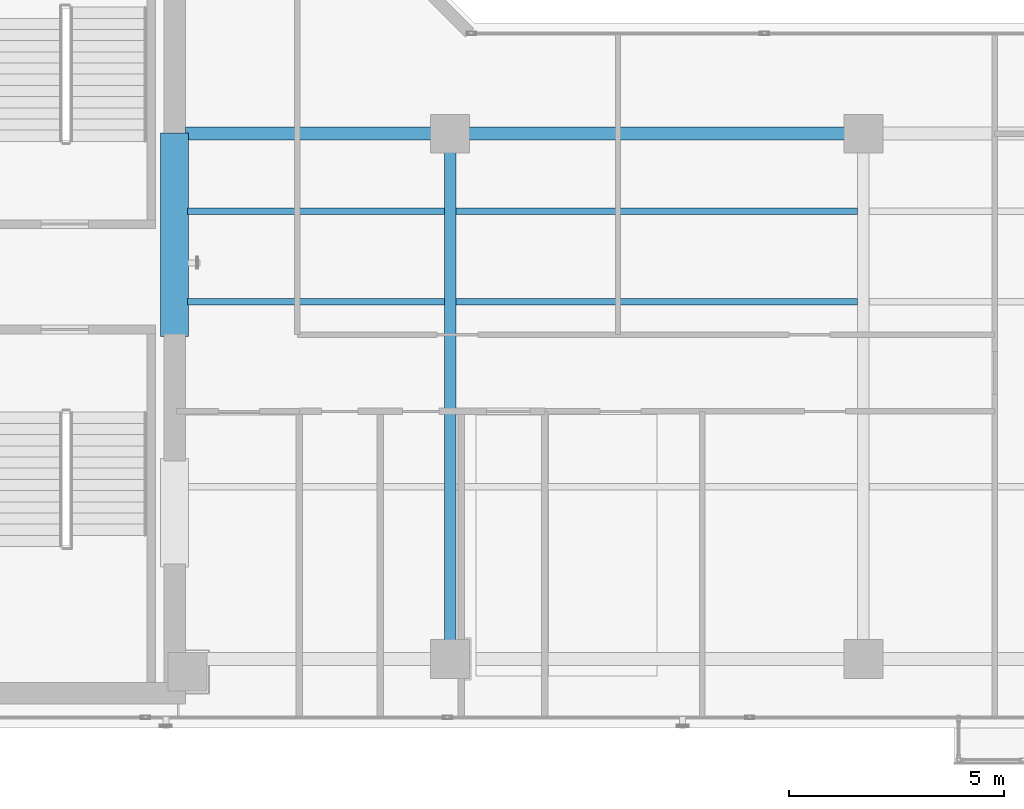
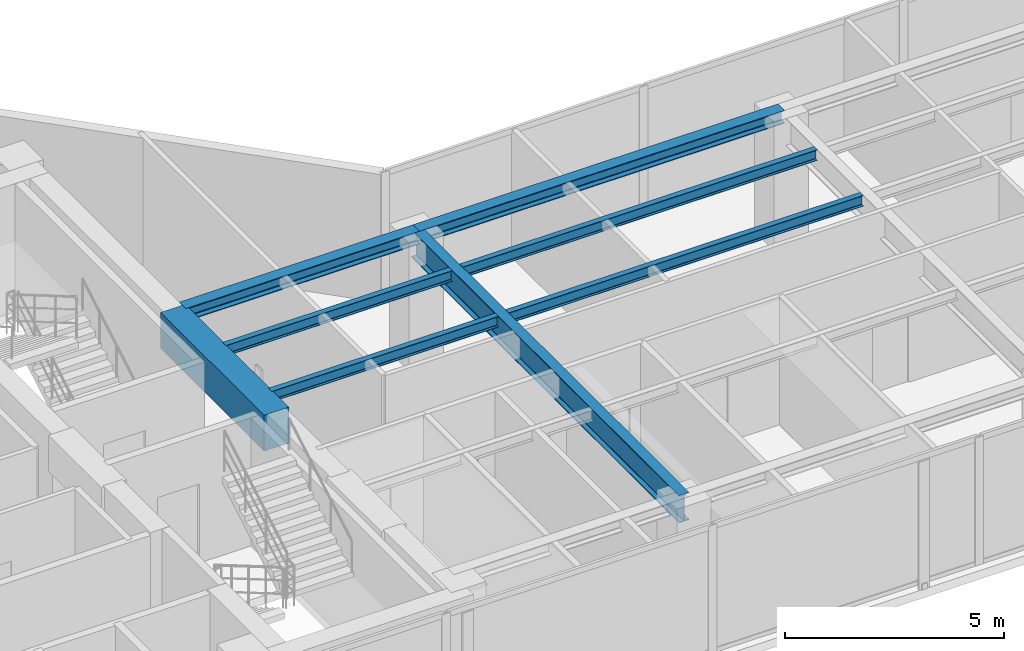
# One storey, part 5 of 22: 8 beams.
"""IFC4 building model written with IfcOpenShell, lengths in metres."""

from ifc_helpers import new_model, si_unit, direction, frame, origin, origin_2d, place, context, subcontext, project, spatial, rectangle, i_section, extrude, material, material_profile, profile_set, type_object, element, save


model = new_model("IFC4")

# Units and contexts
model_context = context("Model", 3, precision=1e-05, world=origin(), true_north=direction((0.0, 1.0)))
body_context = subcontext(model_context, "Body", "Model", "MODEL_VIEW")
ifc_project = project(units=[si_unit("LENGTHUNIT", "METRE"), si_unit("AREAUNIT", "SQUARE_METRE"), si_unit("VOLUMEUNIT", "CUBIC_METRE"), si_unit("PLANEANGLEUNIT", "RADIAN"), si_unit("MASSUNIT", "GRAM", prefix="KILO")], contexts=[model_context])

# Site, building, storey
site_placement = place(None, origin())
site = spatial("IfcSite", under=ifc_project, at=site_placement, CompositionType="ELEMENT")
building_placement = place(site_placement, origin())
building = spatial("IfcBuilding", under=site, at=building_placement, Name="Kolvaren Waterfront Exchange", CompositionType="ELEMENT")
storey_placement = place(building_placement, frame((0.0, 0.0, 274.199951171875)))
storey = spatial("IfcBuildingStorey", under=building, at=storey_placement, Name="L70", CompositionType="ELEMENT", Elevation=274.199951171875)

# Beams
ifc_material_1 = material(Name="Steel S355", Category="steel")
ifc_material_profile_1 = material_profile(ifc_material_1, i_section(OverallWidth=0.300048828125, OverallDepth=0.360107421875, WebThickness=0.012451171875, FlangeThickness=0.0224609375, FilletRadius=0.027099609375, at=origin_2d()), Name="HEB360")
ifc_profile_set_1 = profile_set([ifc_material_profile_1], Name="Steel S355")
beam_type_1 = type_object("IfcBeamType", Name="STR-BM-HEB360", PredefinedType="SPANDREL", material=ifc_profile_set_1)
beam_1_placement = place(storey_placement, frame((21.050048828125, 17.39990234375, 3.380126953125), z_axis=(1.0, 0.0, 0.0), x_axis=(0.0, 1.0, 0.0)))
element("IfcBeam", 1, at=beam_1_placement, inside=storey, type_object=beam_type_1, Name="L70 east-arm spandrel N1", PredefinedType="SPANDREL", context=body_context, shape_type="SweptSolid", body=[
    extrude(i_section(OverallWidth=0.300048828125, OverallDepth=0.360107421875, WebThickness=0.012451171875, FlangeThickness=0.0224609375, FilletRadius=0.027099609375, at=origin_2d()), origin(), (0.0, 0.0, 1.0), 6.14990234375),
])
beam_2_placement = place(storey_placement, frame((27.199951171875, 17.39990234375, 3.380126953125), z_axis=(1.0, 0.0, 0.0), x_axis=(0.0, 1.0, 0.0)))
element("IfcBeam", 2, at=beam_2_placement, inside=storey, type_object=beam_type_1, Name="L70 east-arm spandrel N2", PredefinedType="SPANDREL", context=body_context, shape_type="SweptSolid", body=[
    extrude(i_section(OverallWidth=0.300048828125, OverallDepth=0.360107421875, WebThickness=0.012451171875, FlangeThickness=0.0224609375, FilletRadius=0.027099609375, at=origin_2d()), origin(), (0.0, 0.0, 1.0), 9.60009765625),
])
ifc_material_profile_2 = material_profile(ifc_material_1, i_section(OverallWidth=0.14990234375, OverallDepth=0.300048828125, WebThickness=0.007080078125, FlangeThickness=0.0107421875, FilletRadius=0.014892578125, at=origin_2d()), Name="IPE300")
ifc_profile_set_2 = profile_set([ifc_material_profile_2], Name="Steel S355")
beam_type_2 = type_object("IfcBeamType", Name="STR-BM-IPE300", PredefinedType="JOIST", material=ifc_profile_set_2)
for number, where, z_axis, x_axis, name in (
    (3, (21.10009765625, 13.5, 3.41015625), (1.0, 0.0, 0.0), (0.0, 1.0, 0.0), "L70 east-arm composite joist 1A"),
    (4, (21.10009765625, 15.60009765625, 3.41015625), (1.0, 0.0, 0.0), (0.0, 1.0, 0.0), "L70 east-arm composite joist 1C"),
):
    element("IfcBeam", number, at=place(storey_placement, frame(where, z_axis=z_axis, x_axis=x_axis)), inside=storey, type_object=beam_type_2, Name=name, PredefinedType="JOIST", context=body_context, shape_type="SweptSolid", body=[
        extrude(i_section(OverallWidth=0.14990234375, OverallDepth=0.300048828125, WebThickness=0.007080078125, FlangeThickness=0.0107421875, FilletRadius=0.014892578125, at=origin_2d()), origin(), (0.0, 0.0, 1.0), 5.96435546875),
    ])
for number, where, z_axis, x_axis, name in (
    (5, (27.33544921875, 13.5, 3.41015625), (1.0, 0.0, 0.0), (0.0, 1.0, 0.0), "L70 east-arm composite joist 2A"),
    (6, (27.33544921875, 15.60009765625, 3.41015625), (1.0, 0.0, 0.0), (0.0, 1.0, 0.0), "L70 east-arm composite joist 2C"),
):
    element("IfcBeam", number, at=place(storey_placement, frame(where, z_axis=z_axis, x_axis=x_axis)), inside=storey, type_object=beam_type_2, Name=name, PredefinedType="JOIST", context=body_context, shape_type="SweptSolid", body=[
        extrude(i_section(OverallWidth=0.14990234375, OverallDepth=0.300048828125, WebThickness=0.007080078125, FlangeThickness=0.0107421875, FilletRadius=0.014892578125, at=origin_2d()), origin(), (0.0, 0.0, 1.0), 9.3291015625),
    ])
ifc_material_profile_3 = material_profile(ifc_material_1, i_section(OverallWidth=0.26708984375, OverallDepth=0.761962890625, WebThickness=0.014404296875, FlangeThickness=0.021484375, FilletRadius=0.01708984375, at=origin_2d()), Name="IPE750x173")
ifc_profile_set_3 = profile_set([ifc_material_profile_3], Name="Steel S355")
beam_type_3 = type_object("IfcBeamType", Name="STR-BM-IPE750", PredefinedType="BEAM", material=ifc_profile_set_3)
beam_3_placement = place(storey_placement, frame((27.199951171875, 5.199951171875, 3.178955078125), z_axis=(0.0, 1.0, 0.0), x_axis=(-1.0, 0.0, 0.0)))
element("IfcBeam", 7, at=beam_3_placement, inside=storey, type_object=beam_type_3, Name="L70 east-arm transverse girder X27", PredefinedType="BEAM", context=body_context, shape_type="SweptSolid", body=[
    extrude(i_section(OverallWidth=0.26708984375, OverallDepth=0.761962890625, WebThickness=0.014404296875, FlangeThickness=0.021484375, FilletRadius=0.01708984375, at=origin_2d()), origin(), (0.0, 0.0, 1.0), 12.199951171875),
])
ifc_material_2 = material(Name="Concrete C60/75", Category="concrete")
ifc_material_profile_4 = material_profile(ifc_material_2, rectangle(XDim=0.64990234375, YDim=1.0, at=origin_2d()), Name="RC-CB-1000x650")
ifc_profile_set_4 = profile_set([ifc_material_profile_4], Name="Concrete C60/75")
beam_type_4 = type_object("IfcBeamType", Name="STR-CB-1000", PredefinedType="SPANDREL", material=ifc_profile_set_4)
beam_4_placement = place(storey_placement, frame((20.800048828125, 12.68994140625, 3.06005859375), z_axis=(0.0, 1.0, 0.0), x_axis=(-1.0, 0.0, 0.0)))
element("IfcBeam", 8, at=beam_4_placement, inside=storey, type_object=beam_type_4, Name="L70 core coupling beam 2", PredefinedType="SPANDREL", context=body_context, shape_type="SweptSolid", body=[
    extrude(rectangle(XDim=0.64990234375, YDim=1.0, at=origin_2d()), origin(), (0.0, 0.0, 1.0), 4.719970703125),
])

save(model, "model.ifc")
